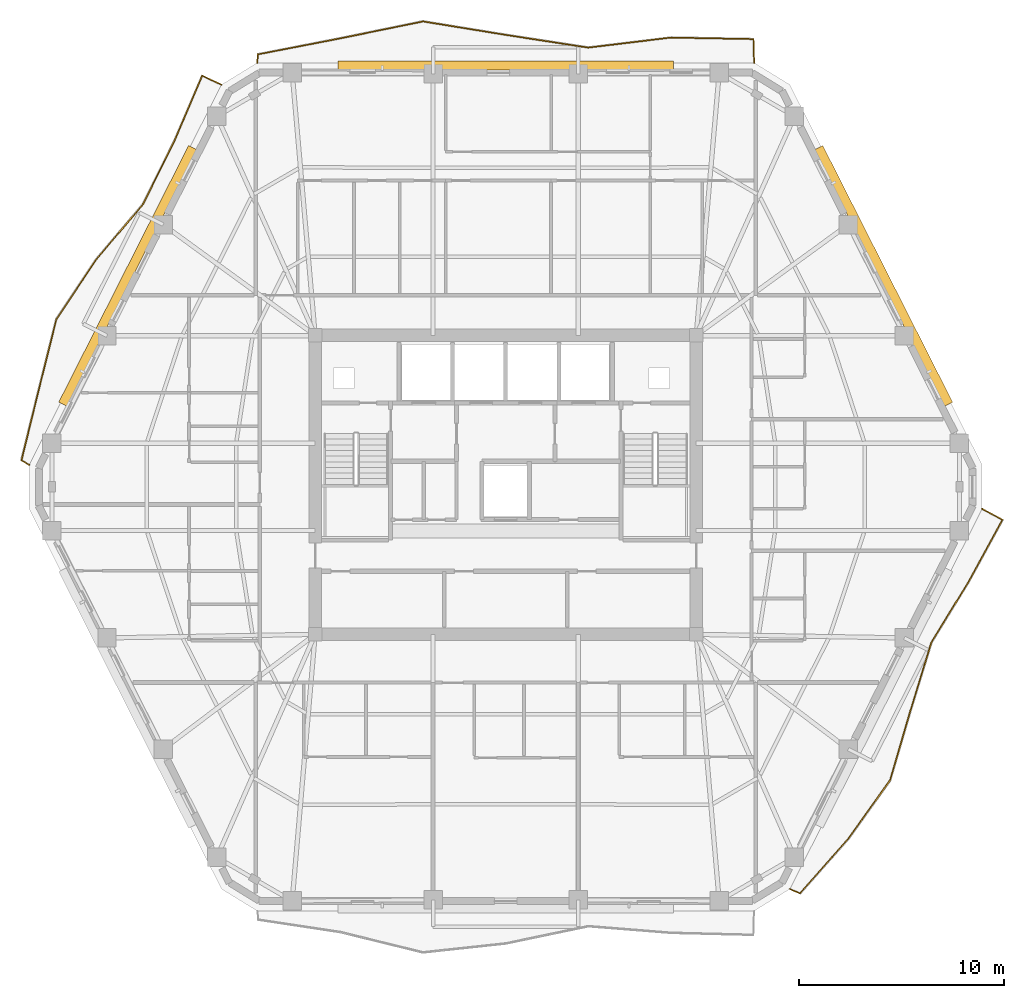
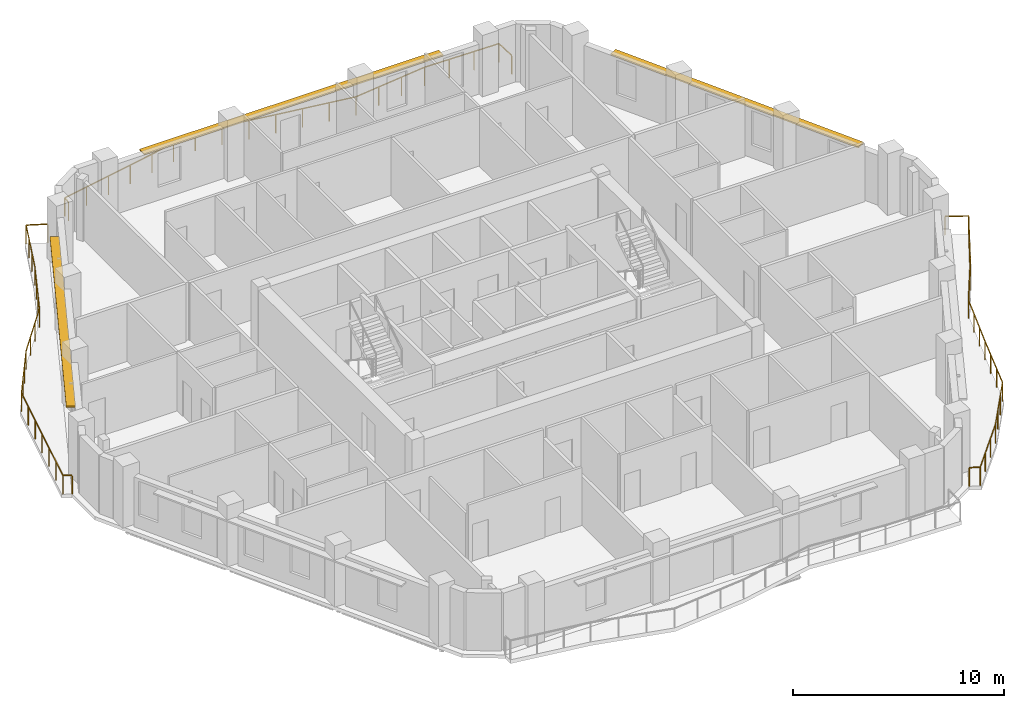
# One storey, part 12 of 12: 3 railings, 3 shading devices.
"""IFC4 building model written with IfcOpenShell, lengths in metres."""

from ifc_helpers import new_model, si_unit, direction, frame, origin, origin_2d, place, context, subcontext, project, spatial, rectangle, extrude, material, layer, layer_set, type_object, element, save


model = new_model("IFC4")

# Units and contexts
model_context = context("Model", 3, precision=1e-05, world=origin(), true_north=direction((0.0, 1.0)))
body_context = subcontext(model_context, "Body", "Model", "MODEL_VIEW")
ifc_project = project(units=[si_unit("LENGTHUNIT", "METRE"), si_unit("AREAUNIT", "SQUARE_METRE"), si_unit("VOLUMEUNIT", "CUBIC_METRE"), si_unit("PLANEANGLEUNIT", "RADIAN"), si_unit("MASSUNIT", "GRAM", prefix="KILO")], contexts=[model_context])

# Site, building, storey
site_placement = place(None, origin())
site = spatial("IfcSite", under=ifc_project, at=site_placement, CompositionType="ELEMENT")
building_placement = place(site_placement, origin())
building = spatial("IfcBuilding", under=site, at=building_placement, Name="Cinnabar Lancet Tower", CompositionType="ELEMENT")
storey_placement = place(building_placement, frame((0.0, 0.0, 186.10009765625)))
storey = spatial("IfcBuildingStorey", under=building, at=storey_placement, Name="L49", CompositionType="ELEMENT", Elevation=186.10009765625)

# Railings
ifc_material_1 = material(Name="Laminated safety glass and bronze stainless steel balustrade", Category="steel")
railing_type = type_object("IfcRailingType", Name="ENV-RLG-BAL-1100", PredefinedType="BALUSTRADE", material=ifc_material_1)
railing_1_placement = place(storey_placement, frame((46.27001953125, 6.1708984375, 0.0)))
element("IfcRailing", 1, at=railing_1_placement, inside=storey, type_object=railing_type, Name="L49 Face 2 Wave Balcony Balustrade", PredefinedType="BALUSTRADE", context=body_context, shape_type="SweptSolid", body=[
    extrude(rectangle(XDim=0.048095703125, YDim=0.048095703125, at=origin_2d()), frame((0.0, 0.0, 1.076171875), z_axis=(0.917929361475, -0.396743856085, 0.0), x_axis=(0.396743856085, 0.917929361475, 0.0)), (0.0, 0.0, 1.0), 0.53173828125),
    extrude(rectangle(XDim=0.048095703125, YDim=0.048095703125, at=origin_2d()), frame((0.488037109375, -0.2109375, 1.076171875), z_axis=(0.663562193957, 0.748121123048, 0.0), x_axis=(-0.748121123048, 0.663562193957, 0.0)), (0.0, 0.0, 1.0), 3.574462890625),
    extrude(rectangle(XDim=0.048095703125, YDim=0.048095703125, at=origin_2d()), frame((2.85986328125, 2.463134765625, 1.076171875), z_axis=(0.58102675642, 0.813884456372, 0.0), x_axis=(-0.813884456372, 0.58102675642, 0.0)), (0.0, 0.0, 1.0), 3.49560546875),
    extrude(rectangle(XDim=0.048095703125, YDim=0.048095703125, at=origin_2d()), frame((4.890869140625, 5.30810546875, 1.076171875), z_axis=(0.280959579684, 0.959719602063, 0.0), x_axis=(-0.959719602063, 0.280959579684, 0.0)), (0.0, 0.0, 1.0), 3.5166015625),
    extrude(rectangle(XDim=0.048095703125, YDim=0.048095703125, at=origin_2d()), frame((5.87890625, 8.68310546875, 1.076171875), z_axis=(0.292710373558, 0.956201148928, 0.0), x_axis=(-0.956201148928, 0.292710373558, 0.0)), (0.0, 0.0, 1.0), 3.505615234375),
    extrude(rectangle(XDim=0.048095703125, YDim=0.048095703125, at=origin_2d()), frame((6.905029296875, 12.03515625, 1.076171875), z_axis=(0.523020868696, 0.852319875932, 0.0), x_axis=(-0.852319875932, 0.523020868696, 0.0)), (0.0, 0.0, 1.0), 3.46826171875),
    extrude(rectangle(XDim=0.048095703125, YDim=0.048095703125, at=origin_2d()), frame((8.718994140625, 14.9912109375, 1.076171875), z_axis=(0.480680355583, 0.876895886498, 0.0), x_axis=(-0.876895886498, 0.480680355583, 0.0)), (0.0, 0.0, 1.0), 3.4599609375),
    extrude(rectangle(XDim=0.048095703125, YDim=0.048095703125, at=origin_2d()), frame((10.382080078125, 18.025146484375, 1.076171875), z_axis=(-0.881338355054, 0.472485665296, 0.0), x_axis=(-0.472485665296, -0.881338355054, 0.0)), (0.0, 0.0, 1.0), 1.1279296875),
    extrude(rectangle(XDim=0.0419921875, YDim=0.0419921875, at=origin_2d()), origin(), (0.0, 0.0, 1.0), 1.052001953125),
    extrude(rectangle(XDim=0.0419921875, YDim=0.0419921875, at=origin_2d()), frame((0.488037109375, -0.2109375, 0.0)), (0.0, 0.0, 1.0), 1.052001953125),
    extrude(rectangle(XDim=0.0419921875, YDim=0.0419921875, at=origin_2d()), frame((1.278564453125, 0.680419921875, 0.0)), (0.0, 0.0, 1.0), 1.052001953125),
    extrude(rectangle(XDim=0.0419921875, YDim=0.0419921875, at=origin_2d()), frame((2.0693359375, 1.57177734375, 0.0)), (0.0, 0.0, 1.0), 1.052001953125),
    extrude(rectangle(XDim=0.0419921875, YDim=0.0419921875, at=origin_2d()), frame((2.85986328125, 2.463134765625, 0.0)), (0.0, 0.0, 1.0), 1.052001953125),
    extrude(rectangle(XDim=0.0419921875, YDim=0.0419921875, at=origin_2d()), frame((3.536865234375, 3.411376953125, 0.0)), (0.0, 0.0, 1.0), 1.052001953125),
    extrude(rectangle(XDim=0.0419921875, YDim=0.0419921875, at=origin_2d()), frame((4.2138671875, 4.35986328125, 0.0)), (0.0, 0.0, 1.0), 1.052001953125),
    extrude(rectangle(XDim=0.0419921875, YDim=0.0419921875, at=origin_2d()), frame((4.890869140625, 5.30810546875, 0.0)), (0.0, 0.0, 1.0), 1.052001953125),
    extrude(rectangle(XDim=0.0419921875, YDim=0.0419921875, at=origin_2d()), frame((5.22021484375, 6.43310546875, 0.0)), (0.0, 0.0, 1.0), 1.052001953125),
    extrude(rectangle(XDim=0.0419921875, YDim=0.0419921875, at=origin_2d()), frame((5.549560546875, 7.55810546875, 0.0)), (0.0, 0.0, 1.0), 1.052001953125),
    extrude(rectangle(XDim=0.0419921875, YDim=0.0419921875, at=origin_2d()), frame((5.87890625, 8.68310546875, 0.0)), (0.0, 0.0, 1.0), 1.052001953125),
    extrude(rectangle(XDim=0.0419921875, YDim=0.0419921875, at=origin_2d()), frame((6.220947265625, 9.800537109375, 0.0)), (0.0, 0.0, 1.0), 1.052001953125),
    extrude(rectangle(XDim=0.0419921875, YDim=0.0419921875, at=origin_2d()), frame((6.56298828125, 10.917724609375, 0.0)), (0.0, 0.0, 1.0), 1.052001953125),
    extrude(rectangle(XDim=0.0419921875, YDim=0.0419921875, at=origin_2d()), frame((6.905029296875, 12.03515625, 0.0)), (0.0, 0.0, 1.0), 1.052001953125),
    extrude(rectangle(XDim=0.0419921875, YDim=0.0419921875, at=origin_2d()), frame((7.509765625, 13.0205078125, 0.0)), (0.0, 0.0, 1.0), 1.052001953125),
    extrude(rectangle(XDim=0.0419921875, YDim=0.0419921875, at=origin_2d()), frame((8.1142578125, 14.005859375, 0.0)), (0.0, 0.0, 1.0), 1.052001953125),
    extrude(rectangle(XDim=0.0419921875, YDim=0.0419921875, at=origin_2d()), frame((8.718994140625, 14.9912109375, 0.0)), (0.0, 0.0, 1.0), 1.052001953125),
    extrude(rectangle(XDim=0.0419921875, YDim=0.0419921875, at=origin_2d()), frame((9.2734375, 16.00244140625, 0.0)), (0.0, 0.0, 1.0), 1.052001953125),
    extrude(rectangle(XDim=0.0419921875, YDim=0.0419921875, at=origin_2d()), frame((9.82763671875, 17.013916015625, 0.0)), (0.0, 0.0, 1.0), 1.052001953125),
    extrude(rectangle(XDim=0.0419921875, YDim=0.0419921875, at=origin_2d()), frame((10.382080078125, 18.025146484375, 0.0)), (0.0, 0.0, 1.0), 1.052001953125),
    extrude(rectangle(XDim=0.0419921875, YDim=0.0419921875, at=origin_2d()), frame((9.387939453125, 18.55810546875, 0.0)), (0.0, 0.0, 1.0), 1.052001953125),
])
railing_2_placement = place(storey_placement, frame((44.528076171875, 46.5, 0.0)))
element("IfcRailing", 2, at=railing_2_placement, inside=storey, type_object=railing_type, Name="L49 Face 4 Wave Balcony Balustrade", PredefinedType="BALUSTRADE", context=body_context, shape_type="SweptSolid", body=[
    extrude(rectangle(XDim=0.048095703125, YDim=0.048095703125, at=origin_2d()), frame((0.0, 0.0, 1.076171875), z_axis=(-0.029554138405, 0.999563181046, 0.0), x_axis=(-0.999563181046, -0.029554138405, 0.0)), (0.0, 0.0, 1.0), 1.156494140625),
    extrude(rectangle(XDim=0.048095703125, YDim=0.048095703125, at=origin_2d()), frame((-0.0341796875, 1.156005859375, 1.076171875), z_axis=(-0.999836228557, 0.018097404948, 0.0), x_axis=(-0.018097404948, -0.999836228557, 0.0)), (0.0, 0.0, 1.0), 4.03369140625),
    extrude(rectangle(XDim=0.048095703125, YDim=0.048095703125, at=origin_2d()), frame((-4.067138671875, 1.22900390625, 1.076171875), z_axis=(-0.992721806558, -0.120430124071, 0.0), x_axis=(0.120430124071, -0.992721806558, 0.0)), (0.0, 0.0, 1.0), 4.060546875),
    extrude(rectangle(XDim=0.048095703125, YDim=0.048095703125, at=origin_2d()), frame((-8.09814453125, 0.739990234375, 1.076171875), z_axis=(-0.988367544057, 0.15208418016, 0.0), x_axis=(-0.15208418016, -0.988367544057, 0.0)), (0.0, 0.0, 1.0), 4.077392578125),
    extrude(rectangle(XDim=0.048095703125, YDim=0.048095703125, at=origin_2d()), frame((-12.128173828125, 1.360107421875, 1.076171875), z_axis=(-0.986939281826, 0.161092687573, 0.0), x_axis=(-0.161092687573, -0.986939281826, 0.0)), (0.0, 0.0, 1.0), 4.084228515625),
    extrude(rectangle(XDim=0.048095703125, YDim=0.048095703125, at=origin_2d()), frame((-16.1591796875, 2.01806640625, 1.076171875), z_axis=(-0.979682609322, -0.20055419465, 0.0), x_axis=(0.20055419465, -0.979682609322, 0.0)), (0.0, 0.0, 1.0), 4.11328125),
    extrude(rectangle(XDim=0.048095703125, YDim=0.048095703125, at=origin_2d()), frame((-20.18896484375, 1.193115234375, 1.076171875), z_axis=(-0.981609202732, -0.190901474883, 0.0), x_axis=(0.190901474883, -0.981609202732, 0.0)), (0.0, 0.0, 1.0), 4.107666015625),
    extrude(rectangle(XDim=0.048095703125, YDim=0.048095703125, at=origin_2d()), frame((-24.22119140625, 0.408935546875, 1.076171875), z_axis=(-0.085063700681, -0.996375514967, 0.0), x_axis=(0.996375514967, -0.085063700681, 0.0)), (0.0, 0.0, 1.0), 0.410400390625),
    extrude(rectangle(XDim=0.0419921875, YDim=0.0419921875, at=origin_2d()), origin(), (0.0, 0.0, 1.0), 1.052001953125),
    extrude(rectangle(XDim=0.0419921875, YDim=0.0419921875, at=origin_2d()), frame((-0.0341796875, 1.156005859375, 0.0)), (0.0, 0.0, 1.0), 1.052001953125),
    extrude(rectangle(XDim=0.0419921875, YDim=0.0419921875, at=origin_2d()), frame((-1.37841796875, 1.180419921875, 0.0)), (0.0, 0.0, 1.0), 1.052001953125),
    extrude(rectangle(XDim=0.0419921875, YDim=0.0419921875, at=origin_2d()), frame((-2.722900390625, 1.20458984375, 0.0)), (0.0, 0.0, 1.0), 1.052001953125),
    extrude(rectangle(XDim=0.0419921875, YDim=0.0419921875, at=origin_2d()), frame((-4.067138671875, 1.22900390625, 0.0)), (0.0, 0.0, 1.0), 1.052001953125),
    extrude(rectangle(XDim=0.0419921875, YDim=0.0419921875, at=origin_2d()), frame((-5.410888671875, 1.06591796875, 0.0)), (0.0, 0.0, 1.0), 1.052001953125),
    extrude(rectangle(XDim=0.0419921875, YDim=0.0419921875, at=origin_2d()), frame((-6.75439453125, 0.903076171875, 0.0)), (0.0, 0.0, 1.0), 1.052001953125),
    extrude(rectangle(XDim=0.0419921875, YDim=0.0419921875, at=origin_2d()), frame((-8.09814453125, 0.739990234375, 0.0)), (0.0, 0.0, 1.0), 1.052001953125),
    extrude(rectangle(XDim=0.0419921875, YDim=0.0419921875, at=origin_2d()), frame((-9.44140625, 0.94677734375, 0.0)), (0.0, 0.0, 1.0), 1.052001953125),
    extrude(rectangle(XDim=0.0419921875, YDim=0.0419921875, at=origin_2d()), frame((-10.784912109375, 1.1533203125, 0.0)), (0.0, 0.0, 1.0), 1.052001953125),
    extrude(rectangle(XDim=0.0419921875, YDim=0.0419921875, at=origin_2d()), frame((-12.128173828125, 1.360107421875, 0.0)), (0.0, 0.0, 1.0), 1.052001953125),
    extrude(rectangle(XDim=0.0419921875, YDim=0.0419921875, at=origin_2d()), frame((-13.471923828125, 1.579345703125, 0.0)), (0.0, 0.0, 1.0), 1.052001953125),
    extrude(rectangle(XDim=0.0419921875, YDim=0.0419921875, at=origin_2d()), frame((-14.8154296875, 1.798828125, 0.0)), (0.0, 0.0, 1.0), 1.052001953125),
    extrude(rectangle(XDim=0.0419921875, YDim=0.0419921875, at=origin_2d()), frame((-16.1591796875, 2.01806640625, 0.0)), (0.0, 0.0, 1.0), 1.052001953125),
    extrude(rectangle(XDim=0.0419921875, YDim=0.0419921875, at=origin_2d()), frame((-17.50244140625, 1.7431640625, 0.0)), (0.0, 0.0, 1.0), 1.052001953125),
    extrude(rectangle(XDim=0.0419921875, YDim=0.0419921875, at=origin_2d()), frame((-18.845703125, 1.468017578125, 0.0)), (0.0, 0.0, 1.0), 1.052001953125),
    extrude(rectangle(XDim=0.0419921875, YDim=0.0419921875, at=origin_2d()), frame((-20.18896484375, 1.193115234375, 0.0)), (0.0, 0.0, 1.0), 1.052001953125),
    extrude(rectangle(XDim=0.0419921875, YDim=0.0419921875, at=origin_2d()), frame((-21.532958984375, 0.931640625, 0.0)), (0.0, 0.0, 1.0), 1.052001953125),
    extrude(rectangle(XDim=0.0419921875, YDim=0.0419921875, at=origin_2d()), frame((-22.877197265625, 0.67041015625, 0.0)), (0.0, 0.0, 1.0), 1.052001953125),
    extrude(rectangle(XDim=0.0419921875, YDim=0.0419921875, at=origin_2d()), frame((-24.22119140625, 0.408935546875, 0.0)), (0.0, 0.0, 1.0), 1.052001953125),
    extrude(rectangle(XDim=0.0419921875, YDim=0.0419921875, at=origin_2d()), frame((-24.256103515625, 0.0, 0.0)), (0.0, 0.0, 1.0), 1.052001953125),
])
railing_3_placement = place(storey_placement, frame((18.530029296875, 45.428955078125, 0.0)))
element("IfcRailing", 3, at=railing_3_placement, inside=storey, type_object=railing_type, Name="L49 Face 5 Wave Balcony Balustrade", PredefinedType="BALUSTRADE", context=body_context, shape_type="SweptSolid", body=[
    extrude(rectangle(XDim=0.048095703125, YDim=0.048095703125, at=origin_2d()), frame((0.0, 0.0, 1.076171875), z_axis=(-0.90553244092, 0.424277030301, 0.0), x_axis=(-0.424277030301, -0.90553244092, 0.0)), (0.0, 0.0, 1.0), 1.036865234375),
    extrude(rectangle(XDim=0.048095703125, YDim=0.048095703125, at=origin_2d()), frame((-0.93896484375, 0.43994140625, 1.076171875), z_axis=(-0.392992429952, -0.919541706504, 0.0), x_axis=(0.919541706504, -0.392992429952, 0.0)), (0.0, 0.0, 1.0), 3.4658203125),
    extrude(rectangle(XDim=0.048095703125, YDim=0.048095703125, at=origin_2d()), frame((-2.301025390625, -2.7470703125, 1.076171875), z_axis=(-0.444413952633, -0.895821544006, 0.0), x_axis=(0.895821544006, -0.444413952633, 0.0)), (0.0, 0.0, 1.0), 3.4560546875),
    extrude(rectangle(XDim=0.048095703125, YDim=0.048095703125, at=origin_2d()), frame((-3.8369140625, -5.843017578125, 1.076171875), z_axis=(-0.646474927617, -0.762935231827, 0.0), x_axis=(0.762935231827, -0.646474927617, 0.0)), (0.0, 0.0, 1.0), 3.55322265625),
    extrude(rectangle(XDim=0.048095703125, YDim=0.048095703125, at=origin_2d()), frame((-6.134033203125, -8.553955078125, 1.076171875), z_axis=(-0.553647057907, -0.832751424658, 0.0), x_axis=(0.832751424658, -0.553647057907, 0.0)), (0.0, 0.0, 1.0), 3.478759765625),
    extrude(rectangle(XDim=0.048095703125, YDim=0.048095703125, at=origin_2d()), frame((-8.06005859375, -11.450927734375, 1.076171875), z_axis=(-0.242049372661, -0.97026393378, 0.0), x_axis=(0.97026393378, -0.242049372661, 0.0)), (0.0, 0.0, 1.0), 3.54443359375),
    extrude(rectangle(XDim=0.048095703125, YDim=0.048095703125, at=origin_2d()), frame((-8.91796875, -14.889892578125, 1.076171875), z_axis=(-0.238729626692, -0.971086075145, 0.0), x_axis=(0.971086075145, -0.238729626692, 0.0)), (0.0, 0.0, 1.0), 3.548583984375),
    extrude(rectangle(XDim=0.048095703125, YDim=0.048095703125, at=origin_2d()), frame((-9.76513671875, -18.3359375, 1.076171875), z_axis=(0.861891189558, -0.507093262983, 0.0), x_axis=(0.507093262983, 0.861891189558, 0.0)), (0.0, 0.0, 1.0), 0.437744140625),
    extrude(rectangle(XDim=0.0419921875, YDim=0.0419921875, at=origin_2d()), origin(), (0.0, 0.0, 1.0), 1.052001953125),
    extrude(rectangle(XDim=0.0419921875, YDim=0.0419921875, at=origin_2d()), frame((-0.93896484375, 0.43994140625, 0.0)), (0.0, 0.0, 1.0), 1.052001953125),
    extrude(rectangle(XDim=0.0419921875, YDim=0.0419921875, at=origin_2d()), frame((-1.39306640625, -0.622314453125, 0.0)), (0.0, 0.0, 1.0), 1.052001953125),
    extrude(rectangle(XDim=0.0419921875, YDim=0.0419921875, at=origin_2d()), frame((-1.846923828125, -1.684814453125, 0.0)), (0.0, 0.0, 1.0), 1.052001953125),
    extrude(rectangle(XDim=0.0419921875, YDim=0.0419921875, at=origin_2d()), frame((-2.301025390625, -2.7470703125, 0.0)), (0.0, 0.0, 1.0), 1.052001953125),
    extrude(rectangle(XDim=0.0419921875, YDim=0.0419921875, at=origin_2d()), frame((-2.81298828125, -3.779052734375, 0.0)), (0.0, 0.0, 1.0), 1.052001953125),
    extrude(rectangle(XDim=0.0419921875, YDim=0.0419921875, at=origin_2d()), frame((-3.324951171875, -4.81103515625, 0.0)), (0.0, 0.0, 1.0), 1.052001953125),
    extrude(rectangle(XDim=0.0419921875, YDim=0.0419921875, at=origin_2d()), frame((-3.8369140625, -5.843017578125, 0.0)), (0.0, 0.0, 1.0), 1.052001953125),
    extrude(rectangle(XDim=0.0419921875, YDim=0.0419921875, at=origin_2d()), frame((-4.6025390625, -6.74658203125, 0.0)), (0.0, 0.0, 1.0), 1.052001953125),
    extrude(rectangle(XDim=0.0419921875, YDim=0.0419921875, at=origin_2d()), frame((-5.368408203125, -7.650390625, 0.0)), (0.0, 0.0, 1.0), 1.052001953125),
    extrude(rectangle(XDim=0.0419921875, YDim=0.0419921875, at=origin_2d()), frame((-6.134033203125, -8.553955078125, 0.0)), (0.0, 0.0, 1.0), 1.052001953125),
    extrude(rectangle(XDim=0.0419921875, YDim=0.0419921875, at=origin_2d()), frame((-6.776123046875, -9.51953125, 0.0)), (0.0, 0.0, 1.0), 1.052001953125),
    extrude(rectangle(XDim=0.0419921875, YDim=0.0419921875, at=origin_2d()), frame((-7.41796875, -10.4853515625, 0.0)), (0.0, 0.0, 1.0), 1.052001953125),
    extrude(rectangle(XDim=0.0419921875, YDim=0.0419921875, at=origin_2d()), frame((-8.06005859375, -11.450927734375, 0.0)), (0.0, 0.0, 1.0), 1.052001953125),
    extrude(rectangle(XDim=0.0419921875, YDim=0.0419921875, at=origin_2d()), frame((-8.345947265625, -12.59716796875, 0.0)), (0.0, 0.0, 1.0), 1.052001953125),
    extrude(rectangle(XDim=0.0419921875, YDim=0.0419921875, at=origin_2d()), frame((-8.632080078125, -13.74365234375, 0.0)), (0.0, 0.0, 1.0), 1.052001953125),
    extrude(rectangle(XDim=0.0419921875, YDim=0.0419921875, at=origin_2d()), frame((-8.91796875, -14.889892578125, 0.0)), (0.0, 0.0, 1.0), 1.052001953125),
    extrude(rectangle(XDim=0.0419921875, YDim=0.0419921875, at=origin_2d()), frame((-9.200439453125, -16.03857421875, 0.0)), (0.0, 0.0, 1.0), 1.052001953125),
    extrude(rectangle(XDim=0.0419921875, YDim=0.0419921875, at=origin_2d()), frame((-9.482666015625, -17.187255859375, 0.0)), (0.0, 0.0, 1.0), 1.052001953125),
    extrude(rectangle(XDim=0.0419921875, YDim=0.0419921875, at=origin_2d()), frame((-9.76513671875, -18.3359375, 0.0)), (0.0, 0.0, 1.0), 1.052001953125),
    extrude(rectangle(XDim=0.0419921875, YDim=0.0419921875, at=origin_2d()), frame((-9.387939453125, -18.557861328125, 0.0)), (0.0, 0.0, 1.0), 1.052001953125),
])

# Shading devices
ifc_material_2 = material(Name="Pale limestone architectural aluminium sunshade", Category="masonry")
ifc_layer = layer(ifc_material_2, 0.080078125)
ifc_layer_set = layer_set([ifc_layer], Name="Pale limestone architectural aluminium sunshade")
shading_device_type = type_object("IfcShadingDeviceType", Name="ENV-SHD-LVR-450", PredefinedType="JALOUSIE", material=ifc_layer_set)
shading_device_1_placement = place(storey_placement, frame((50.845947265625, 36.093994140625, 2.639892578125), z_axis=(0.0, 0.0, 1.0), x_axis=(-0.45140713236, 0.892318105193, 0.0)))
element("IfcShadingDevice", 4, at=shading_device_1_placement, inside=storey, type_object=shading_device_type, Name="L49 Face 3 Horizontal Sunshade Canopy", PredefinedType="JALOUSIE", context=body_context, shape_type="SweptSolid", body=[
    extrude(rectangle(XDim=14.034912109375, YDim=0.449951171875, at=origin_2d()), origin(), (0.0, 0.0, 1.0), 0.080078125),
])
shading_device_2_placement = place(storey_placement, frame((32.39990234375, 46.3701171875, 2.639892578125), z_axis=(0.0, 0.0, 1.0), x_axis=(-1.0, 0.0, 0.0)))
element("IfcShadingDevice", 5, at=shading_device_2_placement, inside=storey, type_object=shading_device_type, Name="L49 Face 4 Horizontal Sunshade Canopy", PredefinedType="JALOUSIE", context=body_context, shape_type="SweptSolid", body=[
    extrude(rectangle(XDim=16.3720703125, YDim=0.449951171875, at=origin_2d()), origin(), (0.0, 0.0, 1.0), 0.080078125),
])
shading_device_3_placement = place(storey_placement, frame((13.9541015625, 36.093994140625, 2.639892578125), z_axis=(0.0, 0.0, 1.0), x_axis=(-0.45140713236, -0.892318105193, 0.0)))
element("IfcShadingDevice", 6, at=shading_device_3_placement, inside=storey, type_object=shading_device_type, Name="L49 Face 5 Horizontal Sunshade Canopy", PredefinedType="JALOUSIE", context=body_context, shape_type="SweptSolid", body=[
    extrude(rectangle(XDim=14.034912109375, YDim=0.449951171875, at=origin_2d()), origin(), (0.0, 0.0, 1.0), 0.080078125),
])

save(model, "model.ifc")
